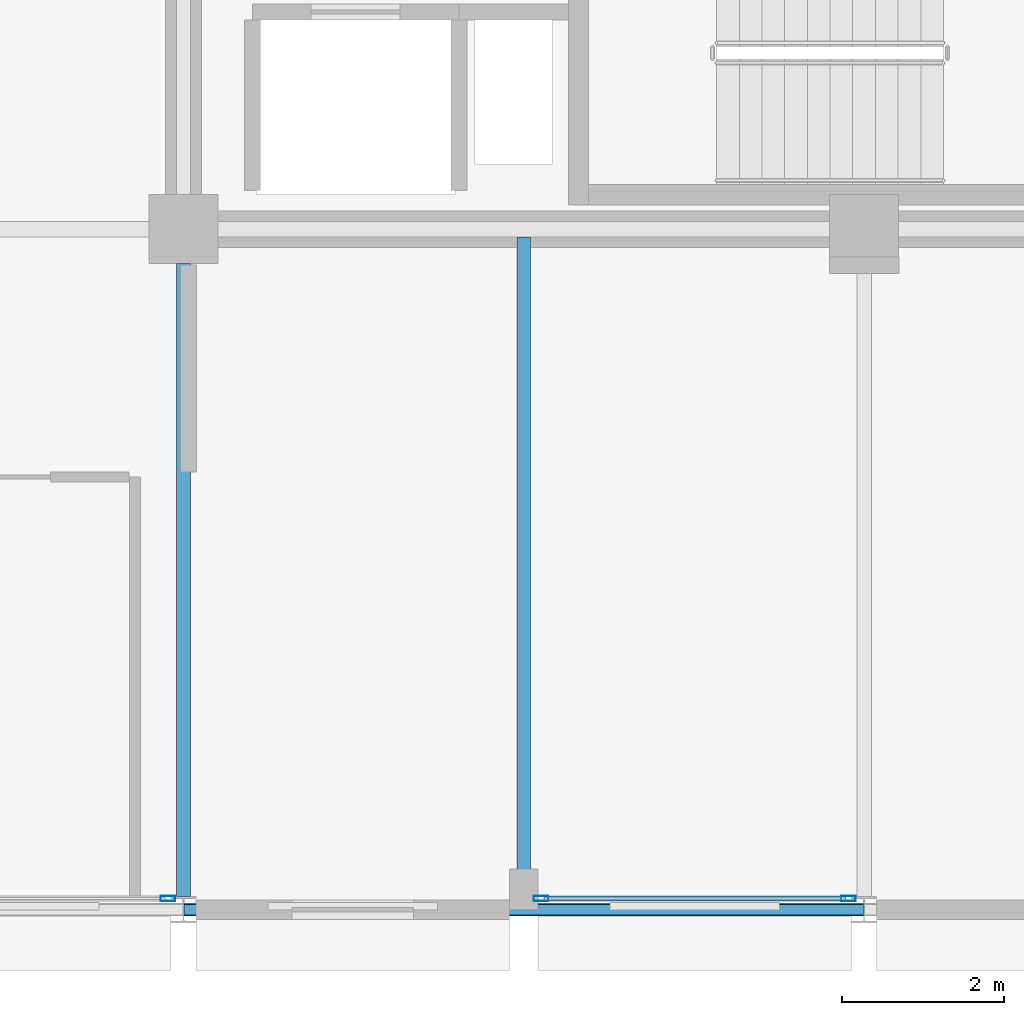
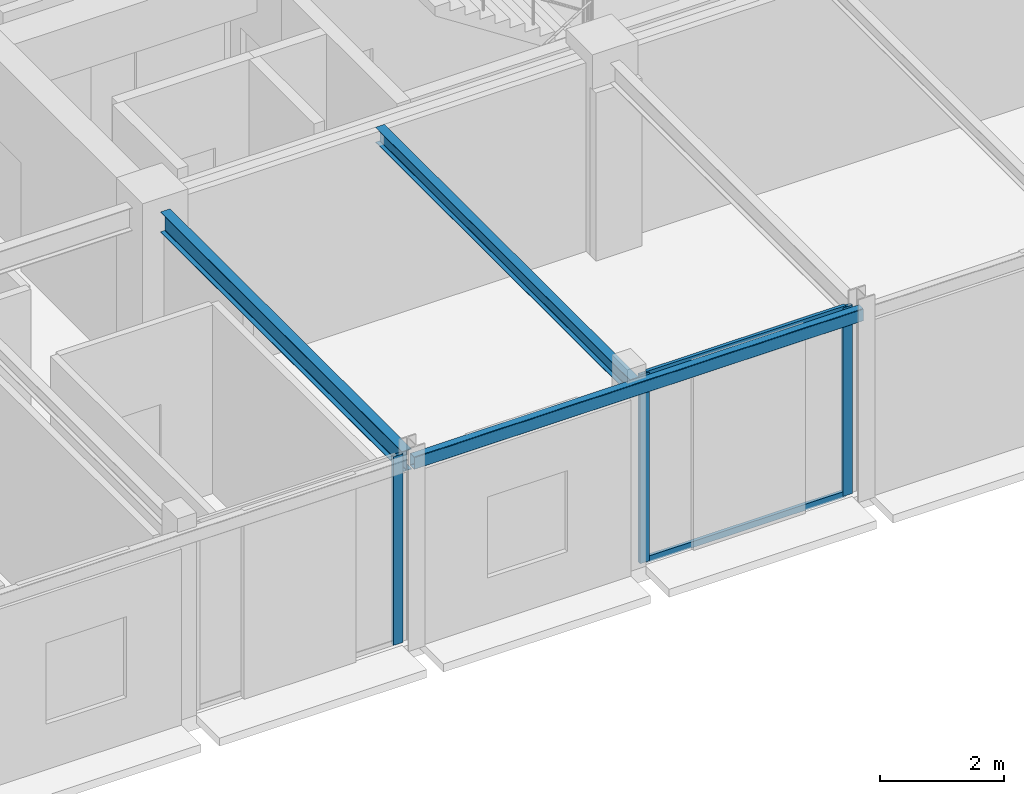
# One storey, part 7 of 27: 5 members, 3 beams, 2 elements without a shape of their own.
"""IFC4 building model written with IfcOpenShell, lengths in metres."""

from ifc_helpers import new_model, si_unit, direction, frame, origin, origin_2d, place, context, subcontext, project, spatial, hollow_rectangle, i_section, extrude, material, layer, layer_set, material_profile, profile_set, type_object, element, aggregate, save


model = new_model("IFC4")

# Units and contexts
model_context = context("Model", 3, precision=1e-05, world=origin(), true_north=direction((0.0, 1.0)))
body_context = subcontext(model_context, "Body", "Model", "MODEL_VIEW")
ifc_project = project(units=[si_unit("LENGTHUNIT", "METRE"), si_unit("AREAUNIT", "SQUARE_METRE"), si_unit("VOLUMEUNIT", "CUBIC_METRE"), si_unit("PLANEANGLEUNIT", "RADIAN"), si_unit("MASSUNIT", "GRAM", prefix="KILO")], contexts=[model_context])

# Site, building, storey
site_placement = place(None, origin())
site = spatial("IfcSite", under=ifc_project, at=site_placement, CompositionType="ELEMENT")
building_placement = place(site_placement, origin())
building = spatial("IfcBuilding", under=site, at=building_placement, Name="Nerrivon Quay Data Exchange", CompositionType="ELEMENT")
storey_placement = place(building_placement, frame((0.0, 0.0, 278.199951171875)))
storey = spatial("IfcBuildingStorey", under=building, at=storey_placement, Name="L66", CompositionType="ELEMENT", Elevation=278.199951171875)

# Beams
ifc_material_1 = material(Name="Steel Grade 350", Category="steel")
ifc_material_profile_1 = material_profile(ifc_material_1, i_section(OverallWidth=0.177978515625, OverallDepth=0.406005859375, WebThickness=0.0078125, FlangeThickness=0.0126953125, FilletRadius=0.011474609375, at=origin_2d()), Name="410UB59.7")
ifc_profile_set_1 = profile_set([ifc_material_profile_1], Name="Steel Grade 350")
beam_type_1 = type_object("IfcBeamType", Name="BM-J1-410UB60", PredefinedType="JOIST", material=ifc_profile_set_1)
beam_1_placement = place(storey_placement, frame((16.800048828125, 0.16357421875, 3.52197265625), z_axis=(0.0, 1.0, 0.0), x_axis=(-1.0, 0.0, 0.0)))
element("IfcBeam", 1, at=beam_1_placement, inside=storey, type_object=beam_type_1, Name="L66 NS Girder X=16.8 (0.0..8.4)", PredefinedType="JOIST", context=body_context, shape_type="SweptSolid", body=[
    extrude(i_section(OverallWidth=0.177978515625, OverallDepth=0.406005859375, WebThickness=0.0078125, FlangeThickness=0.0126953125, FilletRadius=0.011474609375, at=origin_2d()), origin(), (0.0, 0.0, 1.0), 7.8115234375),
])
ifc_material_profile_2 = material_profile(ifc_material_1, i_section(OverallWidth=0.1650390625, OverallDepth=0.303955078125, WebThickness=0.006103515625, FlangeThickness=0.01025390625, FilletRadius=0.011474609375, at=origin_2d()), Name="310UB40.4")
ifc_profile_set_2 = profile_set([ifc_material_profile_2], Name="Steel Grade 350")
beam_type_2 = type_object("IfcBeamType", Name="BM-J6-310UB40", PredefinedType="JOIST", material=ifc_profile_set_2)
beam_2_placement = place(storey_placement, frame((21.0, 0.074951171875, 3.572998046875), z_axis=(0.0, 1.0, 0.0), x_axis=(-1.0, 0.0, 0.0)))
element("IfcBeam", 2, at=beam_2_placement, inside=storey, type_object=beam_type_2, Name="L66 Secondary Joist X=21.0 (0.0..8.4)", PredefinedType="JOIST", context=body_context, shape_type="SweptSolid", body=[
    extrude(i_section(OverallWidth=0.1650390625, OverallDepth=0.303955078125, WebThickness=0.006103515625, FlangeThickness=0.01025390625, FilletRadius=0.011474609375, at=origin_2d()), origin(), (0.0, 0.0, 1.0), 8.22998046875),
])
ifc_material_2 = material(Name="Steel Grade C350L0 (350 MPa)", Category="steel")
ifc_material_profile_3 = material_profile(ifc_material_2, hollow_rectangle(XDim=0.14990234375, YDim=0.25, WallThickness=0.009033203125, InnerFilletRadius=0.013427734375, OuterFilletRadius=0.0224609375, at=origin_2d()), Name="250x150x9.0RHS")
ifc_profile_set_3 = profile_set([ifc_material_profile_3], Name="Steel Grade C350L0 (350 MPa)")
beam_type_3 = type_object("IfcBeamType", Name="BM-SP4-250x150RHS", PredefinedType="SPANDREL", material=ifc_profile_set_3)
beam_3_placement = place(storey_placement, frame((16.807861328125, 0.0, 3.60009765625), z_axis=(1.0, 0.0, 0.0), x_axis=(0.0, 1.0, 0.0)))
element("IfcBeam", 3, at=beam_3_placement, inside=storey, type_object=beam_type_3, Name="L66 EW Girder Y=0.0 (16.8..25.2)", PredefinedType="SPANDREL", context=body_context, shape_type="SweptSolid", body=[
    extrude(hollow_rectangle(XDim=0.14990234375, YDim=0.25, WallThickness=0.009033203125, InnerFilletRadius=0.013427734375, OuterFilletRadius=0.0224609375, at=origin_2d()), origin(), (0.0, 0.0, 1.0), 8.38427734375),
])

# Curtain wall, members
ifc_material_3 = material(Name="Anodised aluminium 6063-T6", Category="aluminium")
ifc_layer = layer(ifc_material_3, 0.195068359375)
ifc_layer_set = layer_set([ifc_layer], Name="Anodised aluminium 6063-T6")
curtain_wall_type = type_object("IfcCurtainWallType", Name="CW-SYS-06", PredefinedType="NOTDEFINED", material=ifc_layer_set)
curtain_wall_1_placement = place(storey_placement, origin())
curtain_wall_1 = element("IfcCurtainWall", 4, at=curtain_wall_1_placement, inside=storey, type_object=curtain_wall_type, Name="L66 Unitised Curtain Wall 4", PredefinedType="NOTDEFINED")
ifc_material_profile_4 = material_profile(ifc_material_3, hollow_rectangle(XDim=0.06494140625, YDim=0.179931640625, WallThickness=0.00341796875, at=origin_2d()), Name="ALU-MULL-180x65")
ifc_profile_set_4 = profile_set([ifc_material_profile_4], Name="Anodised aluminium 6063-T6")
member_type_1 = type_object("IfcMemberType", Name="CWM-180x65", PredefinedType="MULLION", material=ifc_profile_set_4)
member_1_placement = place(storey_placement, frame((25.007080078125, 0.139892578125, 0.0), z_axis=(0.0, 0.0, 1.0), x_axis=(0.0, -1.0, 0.0)))
member_1 = element("IfcMember", 5, at=member_1_placement, type_object=member_type_1, Name="CW06 mullion 1", PredefinedType="MULLION", context=body_context, shape_type="SweptSolid", body=[
    extrude(hollow_rectangle(XDim=0.06494140625, YDim=0.179931640625, WallThickness=0.00341796875, at=origin_2d()), origin(), (0.0, 0.0, 1.0), 3.72509765625),
])
member_2_placement = place(storey_placement, frame((21.21240234375, 0.139892578125, 0.0), z_axis=(0.0, 0.0, 1.0), x_axis=(0.0, -1.0, 0.0)))
member_2 = element("IfcMember", 6, at=member_2_placement, type_object=member_type_1, Name="CW06 mullion 2", PredefinedType="MULLION", context=body_context, shape_type="SweptSolid", body=[
    extrude(hollow_rectangle(XDim=0.06494140625, YDim=0.179931640625, WallThickness=0.00341796875, at=origin_2d()), origin(), (0.0, 0.0, 1.0), 3.72509765625),
])

# Curtain wall, member
curtain_wall_2_placement = place(storey_placement, origin())
curtain_wall_2 = element("IfcCurtainWall", 7, at=curtain_wall_2_placement, inside=storey, type_object=curtain_wall_type, Name="L66 Unitised Curtain Wall 6", PredefinedType="NOTDEFINED")
member_3_placement = place(storey_placement, frame((16.60693359375, 0.139892578125, 0.0), z_axis=(0.0, 0.0, 1.0), x_axis=(0.0, -1.0, 0.0)))
member_3 = element("IfcMember", 8, at=member_3_placement, type_object=member_type_1, Name="CW06 mullion 1", PredefinedType="MULLION", context=body_context, shape_type="SweptSolid", body=[
    extrude(hollow_rectangle(XDim=0.06494140625, YDim=0.179931640625, WallThickness=0.00341796875, at=origin_2d()), origin(), (0.0, 0.0, 1.0), 3.72509765625),
])
aggregate(curtain_wall_2, [member_3])

# Member
ifc_material_profile_5 = material_profile(ifc_material_3, hollow_rectangle(XDim=0.06005859375, YDim=0.1201171875, WallThickness=0.003173828125, at=origin_2d()), Name="ALU-TRAN-120x60")
ifc_profile_set_5 = profile_set([ifc_material_profile_5], Name="Anodised aluminium 6063-T6")
member_type_2 = type_object("IfcMemberType", Name="CWT-120x60", PredefinedType="USERDEFINED", material=ifc_profile_set_5)
member_4_placement = place(storey_placement, frame((24.969482421875, 0.139892578125, 0.032470703125), z_axis=(-1.0, 0.0, 0.0), x_axis=(0.0, -1.0, 0.0)))
member_4 = element("IfcMember", 9, at=member_4_placement, type_object=member_type_2, Name="CW06 transom 1.1", ObjectType="TRANSOM", PredefinedType="USERDEFINED", context=body_context, shape_type="SweptSolid", body=[
    extrude(hollow_rectangle(XDim=0.06005859375, YDim=0.1201171875, WallThickness=0.003173828125, at=origin_2d()), origin(), (0.0, 0.0, 1.0), 3.719482421875),
])

member_5_placement = place(storey_placement, frame((24.969482421875, 0.139892578125, 3.692626953125), z_axis=(-1.0, 0.0, 0.0), x_axis=(0.0, -1.0, 0.0)))
member_5 = element("IfcMember", 10, at=member_5_placement, type_object=member_type_2, Name="CW06 transom 1.2", ObjectType="TRANSOM", PredefinedType="USERDEFINED", context=body_context, shape_type="SweptSolid", body=[
    extrude(hollow_rectangle(XDim=0.06005859375, YDim=0.1201171875, WallThickness=0.003173828125, at=origin_2d()), origin(), (0.0, 0.0, 1.0), 3.719482421875),
])

aggregate(curtain_wall_1, [member_1, member_2, member_4, member_5])

save(model, "model.ifc")
